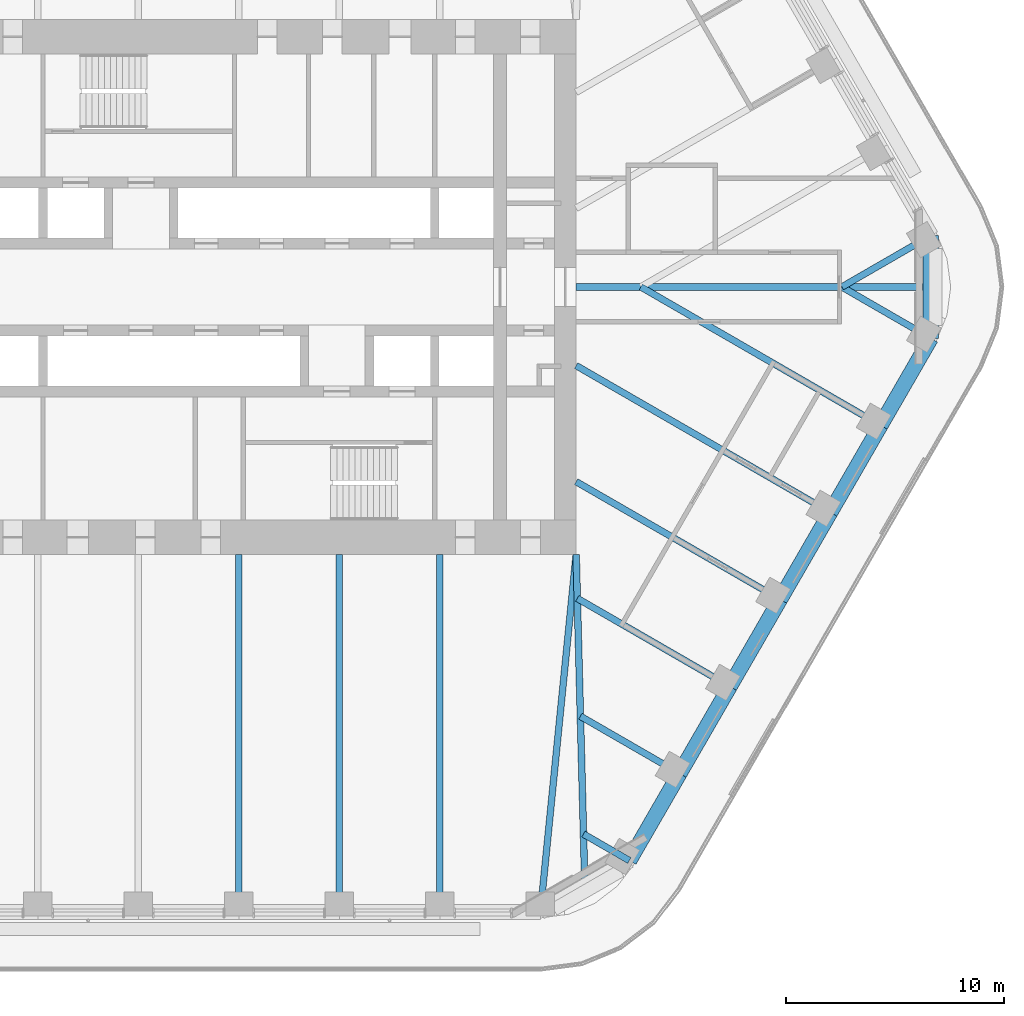
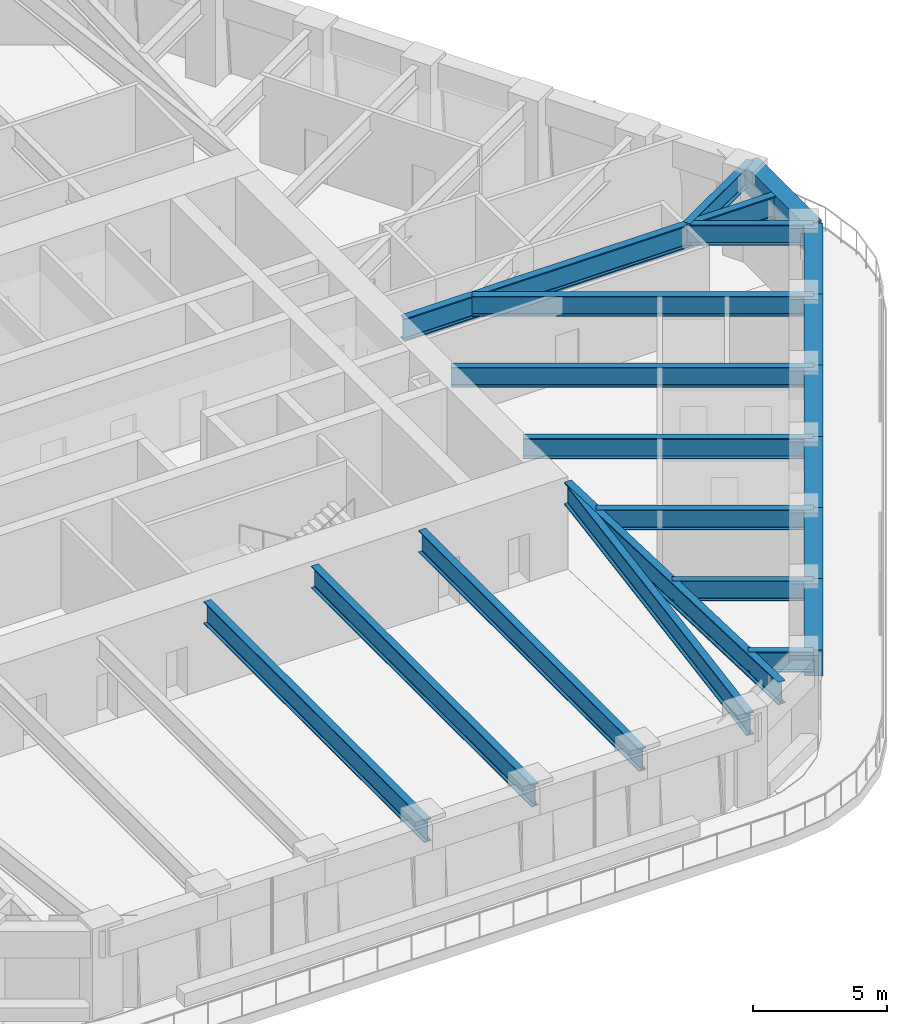
# One storey, part 5 of 20: 21 beams.
"""IFC4 building model written with IfcOpenShell, lengths in metres."""

from ifc_helpers import new_model, si_unit, direction, frame, origin, origin_2d, place, context, subcontext, project, spatial, rectangle, i_section, extrude, material, material_profile, profile_set, type_object, element, save


model = new_model("IFC4")

# Units and contexts
model_context = context("Model", 3, precision=1e-05, world=origin(), true_north=direction((0.0, 1.0)))
body_context = subcontext(model_context, "Body", "Model", "MODEL_VIEW")
ifc_project = project(units=[si_unit("LENGTHUNIT", "METRE"), si_unit("AREAUNIT", "SQUARE_METRE"), si_unit("VOLUMEUNIT", "CUBIC_METRE"), si_unit("PLANEANGLEUNIT", "RADIAN"), si_unit("MASSUNIT", "GRAM", prefix="KILO")], contexts=[model_context])

# Site, building, storey
site_placement = place(None, origin())
site = spatial("IfcSite", under=ifc_project, at=site_placement, CompositionType="ELEMENT")
building_placement = place(site_placement, origin())
building = spatial("IfcBuilding", under=site, at=building_placement, Name="Tarfa Lantern Tower", CompositionType="ELEMENT")
storey_placement = place(building_placement, frame((0.0, 0.0, 253.300048828125)))
storey = spatial("IfcBuildingStorey", under=building, at=storey_placement, Name="L57", CompositionType="ELEMENT", Elevation=253.300048828125)

# Beams
ifc_material_1 = material(Name="Concrete C80/95", Category="concrete")
ifc_material_profile_1 = material_profile(ifc_material_1, rectangle(XDim=0.699951171875, YDim=1.199951171875, at=origin_2d()), Name="RC 700x1200")
ifc_profile_set_1 = profile_set([ifc_material_profile_1], Name="Concrete C80/95")
beam_type_1 = type_object("IfcBeamType", Name="EB3 RC 700x1200", PredefinedType="SPANDREL", material=ifc_profile_set_1)
for number, where, z_axis, x_axis, name in (
    (1, (17.944091796875, -26.360107421875, 3.39990234375), (0.499987836815, 0.866032426089, 0.0), (-0.866032426089, 0.499987836815, 0.0), "Edge beam SE0"),
    (2, (20.25341796875, -22.360107421875, 3.39990234375), (0.499987836815, 0.866032426089, 0.0), (-0.866032426089, 0.499987836815, 0.0), "Edge beam SE1"),
):
    element("IfcBeam", number, at=place(storey_placement, frame(where, z_axis=z_axis, x_axis=x_axis)), inside=storey, type_object=beam_type_1, Name=name, PredefinedType="SPANDREL", context=body_context, shape_type="SweptSolid", body=[
        extrude(rectangle(XDim=0.699951171875, YDim=1.199951171875, at=origin_2d()), origin(), (0.0, 0.0, 1.0), 4.61865234375),
    ])
beam_1_placement = place(storey_placement, frame((22.562744140625, -18.360107421875, 3.39990234375), z_axis=(0.500027479704, 0.866009537788, 0.0), x_axis=(-0.866009537788, 0.500027479704, 0.0)))
element("IfcBeam", 3, at=beam_1_placement, inside=storey, type_object=beam_type_1, Name="Edge beam SE2", PredefinedType="SPANDREL", context=body_context, shape_type="SweptSolid", body=[
    extrude(rectangle(XDim=0.699951171875, YDim=1.199951171875, at=origin_2d()), origin(), (0.0, 0.0, 1.0), 4.618896484375),
])
for number, where, z_axis, x_axis, name in (
    (4, (24.872314453125, -14.360107421875, 3.39990234375), (0.499987836815, 0.866032426089, 0.0), (-0.866032426089, 0.499987836815, 0.0), "Edge beam SE3"),
    (5, (27.181640625, -10.360107421875, 3.39990234375), (0.499987836815, 0.866032426089, 0.0), (-0.866032426089, 0.499987836815, 0.0), "Edge beam SE4"),
):
    element("IfcBeam", number, at=place(storey_placement, frame(where, z_axis=z_axis, x_axis=x_axis)), inside=storey, type_object=beam_type_1, Name=name, PredefinedType="SPANDREL", context=body_context, shape_type="SweptSolid", body=[
        extrude(rectangle(XDim=0.699951171875, YDim=1.199951171875, at=origin_2d()), origin(), (0.0, 0.0, 1.0), 4.61865234375),
    ])
beam_2_placement = place(storey_placement, frame((29.490966796875, -6.360107421875, 3.39990234375), z_axis=(0.500027479704, 0.866009537788, 0.0), x_axis=(-0.866009537788, 0.500027479704, 0.0)))
element("IfcBeam", 6, at=beam_2_placement, inside=storey, type_object=beam_type_1, Name="Edge beam SE5", PredefinedType="SPANDREL", context=body_context, shape_type="SweptSolid", body=[
    extrude(rectangle(XDim=0.699951171875, YDim=1.199951171875, at=origin_2d()), origin(), (0.0, 0.0, 1.0), 4.618896484375),
])
beam_3_placement = place(storey_placement, frame((31.800537109375, -2.360107421875, 3.39990234375), z_axis=(0.0, 1.0, 0.0), x_axis=(-1.0, 0.0, 0.0)))
element("IfcBeam", 7, at=beam_3_placement, inside=storey, type_object=beam_type_1, Name="Edge beam SE6", PredefinedType="SPANDREL", context=body_context, shape_type="SweptSolid", body=[
    extrude(rectangle(XDim=0.699951171875, YDim=1.199951171875, at=origin_2d()), origin(), (0.0, 0.0, 1.0), 4.72021484375),
])
ifc_material_2 = material(Name="Steel S460M", Category="steel")
ifc_material_profile_2 = material_profile(ifc_material_2, i_section(OverallWidth=0.302001953125, OverallDepth=1.008056640625, WebThickness=0.02099609375, FlangeThickness=0.0400390625, FilletRadius=0.030029296875, at=origin_2d()), Name="UB1016x305x349")
ifc_profile_set_2 = profile_set([ifc_material_profile_2], Name="Steel S460M")
beam_type_2 = type_object("IfcBeamType", Name="UB1016x305x349", PredefinedType="BEAM", material=ifc_profile_set_2)
for number, where, z_axis, x_axis, name in (
    (8, (0.0, -28.719970703125, 3.495849609375), (0.0, 1.0, 0.0), (-1.0, 0.0, 0.0), "Floor beam S3"),
    (9, (4.618896484375, -28.719970703125, 3.495849609375), (0.0, 1.0, 0.0), (-1.0, 0.0, 0.0), "Floor beam S4"),
    (10, (9.237548828125, -28.719970703125, 3.495849609375), (0.0, 1.0, 0.0), (-1.0, 0.0, 0.0), "Floor beam S5"),
):
    element("IfcBeam", number, at=place(storey_placement, frame(where, z_axis=z_axis, x_axis=x_axis)), inside=storey, type_object=beam_type_2, Name=name, PredefinedType="BEAM", context=body_context, shape_type="SweptSolid", body=[
        extrude(i_section(OverallWidth=0.302001953125, OverallDepth=1.008056640625, WebThickness=0.02099609375, FlangeThickness=0.0400390625, FilletRadius=0.030029296875, at=origin_2d()), origin(), (0.0, 0.0, 1.0), 16.419921875),
    ])
beam_4_placement = place(storey_placement, frame((13.8564453125, -28.719970703125, 3.495849609375), z_axis=(0.099597466746, 0.995027810977, 0.0), x_axis=(-0.995027810977, 0.099597466746, 0.0)))
element("IfcBeam", 11, at=beam_4_placement, inside=storey, type_object=beam_type_2, Name="Floor beam S6", PredefinedType="BEAM", context=body_context, shape_type="SweptSolid", body=[
    extrude(i_section(OverallWidth=0.302001953125, OverallDepth=1.008056640625, WebThickness=0.02099609375, FlangeThickness=0.0400390625, FilletRadius=0.030029296875, at=origin_2d()), origin(), (0.0, 0.0, 1.0), 16.501953125),
])
ifc_material_profile_3 = material_profile(ifc_material_2, i_section(OverallWidth=0.30859375, OverallDepth=1.036376953125, WebThickness=0.030029296875, FlangeThickness=0.05419921875, FilletRadius=0.030029296875, at=origin_2d()), Name="UB1016x305x487")
ifc_profile_set_3 = profile_set([ifc_material_profile_3], Name="Steel S460M")
beam_type_3 = type_object("IfcBeamType", Name="UB1016x305x487", PredefinedType="BEAM", material=ifc_profile_set_3)
beam_5_placement = place(storey_placement, frame((15.5, 0.0, 3.481689453125), z_axis=(1.0, 0.0, 0.0), x_axis=(0.0, 1.0, 0.0)))
element("IfcBeam", 12, at=beam_5_placement, inside=storey, type_object=beam_type_3, Name="Hip girder E", PredefinedType="BEAM", context=body_context, shape_type="SweptSolid", body=[
    extrude(i_section(OverallWidth=0.30859375, OverallDepth=1.036376953125, WebThickness=0.030029296875, FlangeThickness=0.05419921875, FilletRadius=0.030029296875, at=origin_2d()), origin(), (0.0, 0.0, 1.0), 16.300537109375),
])
beam_6_placement = place(storey_placement, frame((15.5, -12.300048828125, 3.481689453125), z_axis=(0.026247301989, -0.999655480222, 0.0), x_axis=(0.999655480222, 0.026247301989, 0.0)))
element("IfcBeam", 13, at=beam_6_placement, inside=storey, type_object=beam_type_3, Name="Hip girder SE", PredefinedType="BEAM", context=body_context, shape_type="SweptSolid", body=[
    extrude(i_section(OverallWidth=0.30859375, OverallDepth=1.036376953125, WebThickness=0.030029296875, FlangeThickness=0.05419921875, FilletRadius=0.030029296875, at=origin_2d()), origin(), (0.0, 0.0, 1.0), 15.245361328125),
])
ifc_material_profile_4 = material_profile(ifc_material_2, i_section(OverallWidth=0.305419921875, OverallDepth=0.91845703125, WebThickness=0.017333984375, FlangeThickness=0.02783203125, FilletRadius=0.01904296875, at=origin_2d()), Name="UB914x305x253")
ifc_profile_set_4 = profile_set([ifc_material_profile_4], Name="Steel S460M")
beam_type_4 = type_object("IfcBeamType", Name="UB914x305x253", PredefinedType="BEAM", material=ifc_profile_set_4)
beam_7_placement = place(storey_placement, frame((31.800537109375, 2.360107421875, 3.540771484375), z_axis=(-0.866015897305, -0.500016465344, 0.0), x_axis=(0.500016465344, -0.866015897305, 0.0)))
element("IfcBeam", 14, at=beam_7_placement, inside=storey, type_object=beam_type_4, Name="Floor beam NE0", PredefinedType="BEAM", context=body_context, shape_type="SweptSolid", body=[
    extrude(i_section(OverallWidth=0.305419921875, OverallDepth=0.91845703125, WebThickness=0.017333984375, FlangeThickness=0.02783203125, FilletRadius=0.01904296875, at=origin_2d()), origin(), (0.0, 0.0, 1.0), 4.719970703125),
])
beam_8_placement = place(storey_placement, frame((17.944091796875, -26.360107421875, 3.540771484375), z_axis=(-0.865980009423, 0.5000786171, 0.0), x_axis=(-0.5000786171, -0.865980009423, 0.0)))
element("IfcBeam", 15, at=beam_8_placement, inside=storey, type_object=beam_type_4, Name="Floor beam SE0", PredefinedType="BEAM", context=body_context, shape_type="SweptSolid", body=[
    extrude(i_section(OverallWidth=0.305419921875, OverallDepth=0.91845703125, WebThickness=0.017333984375, FlangeThickness=0.02783203125, FilletRadius=0.01904296875, at=origin_2d()), origin(), (0.0, 0.0, 1.0), 2.4326171875),
])
beam_9_placement = place(storey_placement, frame((20.25341796875, -22.360107421875, 3.540771484375), z_axis=(-0.86601951648, 0.500010196972, 0.0), x_axis=(-0.500010196972, -0.86601951648, 0.0)))
element("IfcBeam", 16, at=beam_9_placement, inside=storey, type_object=beam_type_4, Name="Floor beam SE1", PredefinedType="BEAM", context=body_context, shape_type="SweptSolid", body=[
    extrude(i_section(OverallWidth=0.305419921875, OverallDepth=0.91845703125, WebThickness=0.017333984375, FlangeThickness=0.02783203125, FilletRadius=0.01904296875, at=origin_2d()), origin(), (0.0, 0.0, 1.0), 5.263671875),
])
beam_10_placement = place(storey_placement, frame((22.562744140625, -18.360107421875, 3.540771484375), z_axis=(-0.866010787764, 0.500025314835, 0.0), x_axis=(-0.500025314835, -0.866010787764, 0.0)))
element("IfcBeam", 17, at=beam_10_placement, inside=storey, type_object=beam_type_4, Name="Floor beam SE2", PredefinedType="BEAM", context=body_context, shape_type="SweptSolid", body=[
    extrude(i_section(OverallWidth=0.305419921875, OverallDepth=0.91845703125, WebThickness=0.017333984375, FlangeThickness=0.02783203125, FilletRadius=0.01904296875, at=origin_2d()), origin(), (0.0, 0.0, 1.0), 8.09423828125),
])
beam_11_placement = place(storey_placement, frame((24.872314453125, -14.360107421875, 3.540771484375), z_axis=(-0.8660244219, 0.500001700669, 0.0), x_axis=(-0.500001700669, -0.8660244219, 0.0)))
element("IfcBeam", 18, at=beam_11_placement, inside=storey, type_object=beam_type_4, Name="Floor beam SE3", PredefinedType="BEAM", context=body_context, shape_type="SweptSolid", body=[
    extrude(i_section(OverallWidth=0.305419921875, OverallDepth=0.91845703125, WebThickness=0.017333984375, FlangeThickness=0.02783203125, FilletRadius=0.01904296875, at=origin_2d()), origin(), (0.0, 0.0, 1.0), 10.822265625),
])
beam_12_placement = place(storey_placement, frame((27.181640625, -10.360107421875, 3.540771484375), z_axis=(-0.866018002818, 0.500012818631, 0.0), x_axis=(-0.500012818631, -0.866018002818, 0.0)))
element("IfcBeam", 19, at=beam_12_placement, inside=storey, type_object=beam_type_4, Name="Floor beam SE4", PredefinedType="BEAM", context=body_context, shape_type="SweptSolid", body=[
    extrude(i_section(OverallWidth=0.305419921875, OverallDepth=0.91845703125, WebThickness=0.017333984375, FlangeThickness=0.02783203125, FilletRadius=0.01904296875, at=origin_2d()), origin(), (0.0, 0.0, 1.0), 13.489013671875),
])
beam_13_placement = place(storey_placement, frame((29.490966796875, -6.360107421875, 3.540771484375), z_axis=(-0.866022258038, 0.500005448553, 0.0), x_axis=(-0.500005448553, -0.866022258038, 0.0)))
element("IfcBeam", 20, at=beam_13_placement, inside=storey, type_object=beam_type_4, Name="Floor beam SE5", PredefinedType="BEAM", context=body_context, shape_type="SweptSolid", body=[
    extrude(i_section(OverallWidth=0.305419921875, OverallDepth=0.91845703125, WebThickness=0.017333984375, FlangeThickness=0.02783203125, FilletRadius=0.01904296875, at=origin_2d()), origin(), (0.0, 0.0, 1.0), 12.719970703125),
])
beam_14_placement = place(storey_placement, frame((31.800537109375, -2.360107421875, 3.540771484375), z_axis=(-0.866015897305, 0.500016465344, 0.0), x_axis=(-0.500016465344, -0.866015897305, 0.0)))
element("IfcBeam", 21, at=beam_14_placement, inside=storey, type_object=beam_type_4, Name="Floor beam SE6", PredefinedType="BEAM", context=body_context, shape_type="SweptSolid", body=[
    extrude(i_section(OverallWidth=0.305419921875, OverallDepth=0.91845703125, WebThickness=0.017333984375, FlangeThickness=0.02783203125, FilletRadius=0.01904296875, at=origin_2d()), origin(), (0.0, 0.0, 1.0), 4.719970703125),
])

save(model, "model.ifc")
